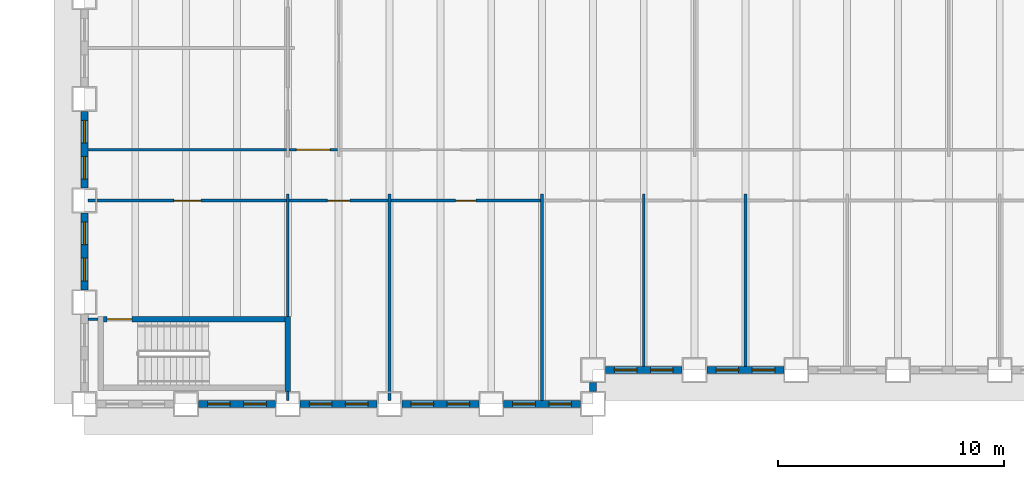
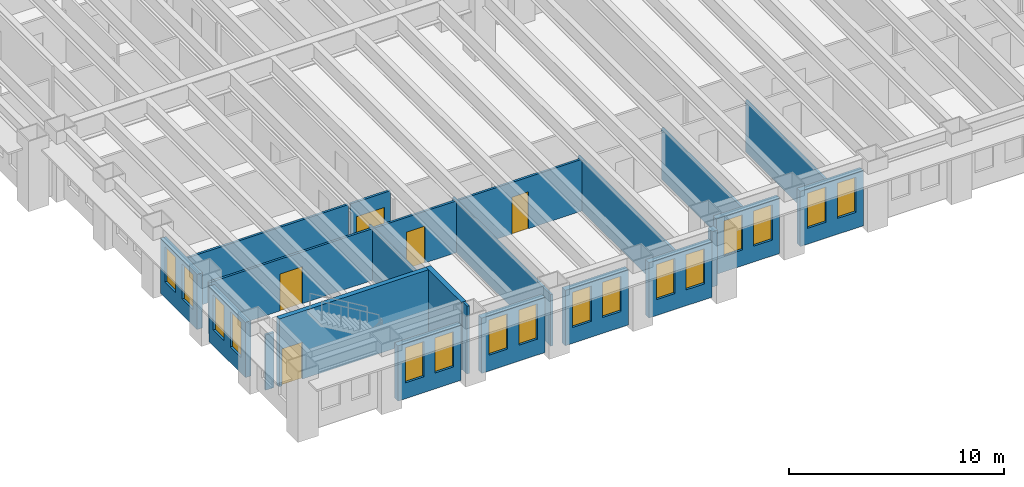
# One storey, part 3 of 15: 23 walls, 16 windows, 5 doors, 21 openings.
"""IFC4 building model written with IfcOpenShell, lengths in metres."""

from ifc_helpers import new_model, si_unit, direction, frame, frame_2d, origin, place, context, subcontext, project, spatial, rectangle, extrude, material, layer, layer_set, type_object, element, fill, save


model = new_model("IFC4")

# Units and contexts
model_context = context("Model", 3, precision=1e-05, world=origin(), true_north=direction((0.0, 1.0)))
body_context = subcontext(model_context, "Body", "Model", "MODEL_VIEW")
ifc_project = project(units=[si_unit("LENGTHUNIT", "METRE"), si_unit("AREAUNIT", "SQUARE_METRE"), si_unit("VOLUMEUNIT", "CUBIC_METRE"), si_unit("PLANEANGLEUNIT", "RADIAN"), si_unit("MASSUNIT", "GRAM", prefix="KILO")], contexts=[model_context])

# Site, building, storey
site_placement = place(None, origin())
site = spatial("IfcSite", under=ifc_project, at=site_placement, CompositionType="ELEMENT")
building_placement = place(site_placement, origin())
building = spatial("IfcBuilding", under=site, at=building_placement, Name="Sennacour Bend Tower", CompositionType="ELEMENT")
storey_placement = place(building_placement, frame((0.0, 0.0, 37.0)))
storey = spatial("IfcBuildingStorey", under=building, at=storey_placement, Name="L07", CompositionType="ELEMENT", Elevation=37.0)

# Walls
ifc_material_1 = material(Name="Plasterboard partition on steel studs", Category="steel")
ifc_layer_1 = layer(ifc_material_1, 0.1201171875, Name="Plasterboard partition on steel studs", Category="steel")
ifc_layer_set_1 = layer_set([ifc_layer_1], Name="Plasterboard partition on steel studs")
wall_type_1 = type_object("IfcWallType", Name="Partition 120", PredefinedType="PARTITIONING", material=ifc_layer_set_1)
wall_1_placement = place(storey_placement, frame((9.0, 0.14990234375, 0.0), z_axis=(0.0, 0.0, 1.0), x_axis=(0.0, 1.0, 0.0)))
element("IfcWall", 1, at=wall_1_placement, inside=storey, type_object=wall_type_1, Name="P-L07-W010a", PredefinedType="PARTITIONING", context=body_context, shape_type="SweptSolid", body=[
    extrude(rectangle(XDim=0.400146484375, YDim=0.1201171875, at=frame_2d((0.2001953125, 0.0))), origin(), (0.0, 0.0, 1.0), 3.85009765625),
])
wall_2_placement = place(storey_placement, frame((9.0, 3.875, 0.0), z_axis=(0.0, 0.0, 1.0), x_axis=(0.0, 1.0, 0.0)))
element("IfcWall", 2, at=wall_2_placement, inside=storey, type_object=wall_type_1, Name="P-L07-W012a", PredefinedType="PARTITIONING", context=body_context, shape_type="SweptSolid", body=[
    extrude(rectangle(XDim=5.425048828125, YDim=0.1201171875, at=frame_2d((2.71240234375, 0.0))), origin(), (0.0, 0.0, 1.0), 2.93798828125),
])
for number, where, z_axis, x_axis, name in (
    (3, (13.5, 0.14990234375, 0.0), (0.0, 0.0, 1.0), (0.0, 1.0, 0.0), "P-L07-W017a"),
    (4, (20.25, 0.14990234375, 0.0), (0.0, 0.0, 1.0), (0.0, 1.0, 0.0), "P-L07-W024a"),
):
    element("IfcWall", number, at=place(storey_placement, frame(where, z_axis=z_axis, x_axis=x_axis)), inside=storey, type_object=wall_type_1, Name=name, PredefinedType="PARTITIONING", context=body_context, shape_type="SweptSolid", body=[
        extrude(rectangle(XDim=9.150146484375, YDim=0.1201171875, at=frame_2d((4.5751953125, 0.0))), origin(), (0.0, 0.0, 1.0), 2.93798828125),
    ])
for number, where, z_axis, x_axis, name in (
    (5, (24.75, 1.64990234375, 0.0), (0.0, 0.0, 1.0), (0.0, 1.0, 0.0), "P-L07-W026a"),
    (6, (29.25, 1.64990234375, 0.0), (0.0, 0.0, 1.0), (0.0, 1.0, 0.0), "P-L07-W028a"),
):
    element("IfcWall", number, at=place(storey_placement, frame(where, z_axis=z_axis, x_axis=x_axis)), inside=storey, type_object=wall_type_1, Name=name, PredefinedType="PARTITIONING", context=body_context, shape_type="SweptSolid", body=[
        extrude(rectangle(XDim=7.650146484375, YDim=0.1201171875, at=frame_2d((3.8251953125, 0.0))), origin(), (0.0, 0.0, 1.0), 2.93798828125),
    ])
wall_3_placement = place(storey_placement, frame((0.14990234375, 3.75, 0.0), z_axis=(0.0, 0.0, 1.0), x_axis=(1.0, 0.0, 0.0)))
element("IfcWall", 7, at=wall_3_placement, inside=storey, type_object=wall_type_1, Name="P-L07-W050a", PredefinedType="PARTITIONING", context=body_context, shape_type="SweptSolid", body=[
    extrude(rectangle(XDim=0.4501953125, YDim=0.1201171875, at=frame_2d((0.22509765625, 0.0))), origin(), (0.0, 0.0, 1.0), 3.14404296875),
])

# Wall, opening, door
wall_4_placement = place(storey_placement, frame((9.06005859375, 9.0, 0.0), z_axis=(0.0, 0.0, 1.0), x_axis=(1.0, 0.0, 0.0)))
wall_4 = element("IfcWall", 8, at=wall_4_placement, inside=storey, type_object=wall_type_1, Name="P-L07-W058ab", PredefinedType="PARTITIONING", context=body_context, shape_type="SweptSolid", body=[
    extrude(rectangle(XDim=4.3798828125, YDim=0.1201171875, at=frame_2d((2.18994140625, 0.0))), origin(), (0.0, 0.0, 1.0), 2.93798828125),
])
opening_1_placement = place(wall_4_placement, frame((1.68994140625, 0.0, 0.0)))
opening_1 = element("IfcOpeningElement", 9, at=opening_1_placement, cuts=wall_4, Name="Opening OD2", PredefinedType="OPENING", context=body_context, shape_type="SweptSolid", body=[
    extrude(rectangle(XDim=1.0, YDim=2.10009765625, at=frame_2d((0.5, 1.050048828125))), frame((0.0, 0.070068359375, 0.0), z_axis=(0.0, -1.0, 0.0), x_axis=(1.0, 0.0, 0.0)), (0.0, 0.0, 1.0), 0.14013671875),
])
ifc_material_2 = material(Name="Timber", Category="wood")
door_type_1 = type_object("IfcDoorType", Name="DR-OFFICE-1000", OperationType="NOTDEFINED", PredefinedType="DOOR", material=ifc_material_2)
door_1_placement = place(opening_1_placement, origin())
door_1 = element("IfcDoor", 10, at=door_1_placement, inside=storey, type_object=door_type_1, Name="Door", OperationType="SINGLE_SWING_LEFT", OverallHeight=2.10009765625, OverallWidth=1.0, PredefinedType="DOOR", context=body_context, shape_type="SweptSolid", body=[
    extrude(rectangle(XDim=1.0, YDim=2.10009765625, at=frame_2d((0.5, 1.050048828125))), frame((0.0, 0.02490234375, 0.0), z_axis=(0.0, -1.0, 0.0), x_axis=(1.0, 0.0, 0.0)), (0.0, 0.0, 1.0), 0.050048828125),
])
fill(opening_1, door_1)

# Wall
wall_5_placement = place(storey_placement, frame((0.14990234375, 11.25, 0.0), z_axis=(0.0, 0.0, 1.0), x_axis=(1.0, 0.0, 0.0)))
element("IfcWall", 11, at=wall_5_placement, inside=storey, type_object=wall_type_1, Name="P-L07-W060aa", PredefinedType="PARTITIONING", context=body_context, shape_type="SweptSolid", body=[
    extrude(rectangle(XDim=8.7900390625, YDim=0.1201171875, at=frame_2d((4.39501953125, 0.0))), origin(), (0.0, 0.0, 1.0), 2.93798828125),
])

# Wall, opening, door
ifc_layer_2 = layer(ifc_material_1, 0.1201171875, Name="Plasterboard partition on steel studs", Category="steel")
ifc_layer_set_2 = layer_set([ifc_layer_2], Name="Plasterboard partition on steel studs")
wall_type_2 = type_object("IfcWallType", Name="Partition 120 EI 30", PredefinedType="PARTITIONING", material=ifc_layer_set_2)
wall_6_placement = place(storey_placement, frame((0.14990234375, 9.0, 0.0), z_axis=(0.0, 0.0, 1.0), x_axis=(1.0, 0.0, 0.0)))
wall_6 = element("IfcWall", 12, at=wall_6_placement, inside=storey, type_object=wall_type_2, Name="P-L07-W058aa", PredefinedType="PARTITIONING", context=body_context, shape_type="SweptSolid", body=[
    extrude(rectangle(XDim=8.7900390625, YDim=0.1201171875, at=frame_2d((4.39501953125, 0.0))), origin(), (0.0, 0.0, 1.0), 2.93798828125),
])
opening_2_placement = place(wall_6_placement, frame((3.80517578125, 0.0, 0.0)))
opening_2 = element("IfcOpeningElement", 13, at=opening_2_placement, cuts=wall_6, Name="Opening KD2", PredefinedType="OPENING", context=body_context, shape_type="SweptSolid", body=[
    extrude(rectangle(XDim=1.199951171875, YDim=2.10009765625, at=frame_2d((0.60009765625, 1.050048828125))), frame((0.0, 0.070068359375, 0.0), z_axis=(0.0, -1.0, 0.0), x_axis=(1.0, 0.0, 0.0)), (0.0, 0.0, 1.0), 0.14013671875),
])
ifc_material_3 = material(Name="Painted steel", Category="steel")
door_type_2 = type_object("IfcDoorType", Name="DR-CORRIDOR-1200", OperationType="NOTDEFINED", PredefinedType="DOOR", material=ifc_material_3)
door_2_placement = place(opening_2_placement, origin())
door_2 = element("IfcDoor", 14, at=door_2_placement, inside=storey, type_object=door_type_2, Name="Door", OperationType="SINGLE_SWING_LEFT", OverallHeight=2.10009765625, OverallWidth=1.199951171875, PredefinedType="DOOR", context=body_context, shape_type="SweptSolid", body=[
    extrude(rectangle(XDim=1.199951171875, YDim=2.10009765625, at=frame_2d((0.60009765625, 1.050048828125))), frame((0.0, 0.02490234375, 0.0), z_axis=(0.0, -1.0, 0.0), x_axis=(1.0, 0.0, 0.0)), (0.0, 0.0, 1.0), 0.050048828125),
])
fill(opening_2, door_2)

wall_7_placement = place(storey_placement, frame((9.06005859375, 11.25, 0.0), z_axis=(0.0, 0.0, 1.0), x_axis=(1.0, 0.0, 0.0)))
wall_7 = element("IfcWall", 15, at=wall_7_placement, inside=storey, type_object=wall_type_2, Name="P-L07-W060ab", PredefinedType="PARTITIONING", context=body_context, shape_type="SweptSolid", body=[
    extrude(rectangle(XDim=2.1298828125, YDim=0.1201171875, at=frame_2d((1.06494140625, 0.0))), origin(), (0.0, 0.0, 1.0), 2.93798828125),
])
opening_3_placement = place(wall_7_placement, frame((0.31494140625, 0.0, 0.0)))
opening_3 = element("IfcOpeningElement", 16, at=opening_3_placement, cuts=wall_7, Name="Opening KD", PredefinedType="OPENING", context=body_context, shape_type="SweptSolid", body=[
    extrude(rectangle(XDim=1.5, YDim=2.10009765625, at=frame_2d((0.75, 1.050048828125))), frame((0.0, 0.070068359375, 0.0), z_axis=(0.0, -1.0, 0.0), x_axis=(1.0, 0.0, 0.0)), (0.0, 0.0, 1.0), 0.14013671875),
])
door_type_3 = type_object("IfcDoorType", Name="DR-CORRIDOR-1500", OperationType="NOTDEFINED", PredefinedType="DOOR", material=ifc_material_3)
door_3_placement = place(opening_3_placement, origin())
door_3 = element("IfcDoor", 17, at=door_3_placement, inside=storey, type_object=door_type_3, Name="Door", OperationType="SINGLE_SWING_LEFT", OverallHeight=2.10009765625, OverallWidth=1.5, PredefinedType="DOOR", context=body_context, shape_type="SweptSolid", body=[
    extrude(rectangle(XDim=1.5, YDim=2.10009765625, at=frame_2d((0.75, 1.050048828125))), frame((0.0, 0.02490234375, 0.0), z_axis=(0.0, -1.0, 0.0), x_axis=(1.0, 0.0, 0.0)), (0.0, 0.0, 1.0), 0.050048828125),
])
fill(opening_3, door_3)

ifc_layer_3 = layer(ifc_material_1, 0.1201171875, Name="Plasterboard partition on steel studs", Category="steel")
ifc_layer_set_3 = layer_set([ifc_layer_3], Name="Plasterboard partition on steel studs")
wall_type_3 = type_object("IfcWallType", Name="Partition 120 EI 60", PredefinedType="PARTITIONING", material=ifc_layer_set_3)
wall_8_placement = place(storey_placement, frame((13.56005859375, 9.0, 0.0), z_axis=(0.0, 0.0, 1.0), x_axis=(1.0, 0.0, 0.0)))
wall_8 = element("IfcWall", 18, at=wall_8_placement, inside=storey, type_object=wall_type_3, Name="P-L07-W058ac", PredefinedType="PARTITIONING", context=body_context, shape_type="SweptSolid", body=[
    extrude(rectangle(XDim=6.6298828125, YDim=0.1201171875, at=frame_2d((3.31494140625, 0.0))), origin(), (0.0, 0.0, 1.0), 2.93798828125),
])
opening_4_placement = place(wall_8_placement, frame((2.864990234375, 0.0, 0.0)))
opening_4 = element("IfcOpeningElement", 19, at=opening_4_placement, cuts=wall_8, Name="Opening SV", PredefinedType="OPENING", context=body_context, shape_type="SweptSolid", body=[
    extrude(rectangle(XDim=0.89990234375, YDim=2.10009765625, at=frame_2d((0.449951171875, 1.050048828125))), frame((0.0, 0.070068359375, 0.0), z_axis=(0.0, -1.0, 0.0), x_axis=(1.0, 0.0, 0.0)), (0.0, 0.0, 1.0), 0.14013671875),
])
door_type_4 = type_object("IfcDoorType", Name="DR-SERVICE-900", OperationType="NOTDEFINED", PredefinedType="DOOR", material=ifc_material_3)
door_4_placement = place(opening_4_placement, origin())
door_4 = element("IfcDoor", 20, at=door_4_placement, inside=storey, type_object=door_type_4, Name="Door", OperationType="SINGLE_SWING_LEFT", OverallHeight=2.10009765625, OverallWidth=0.89990234375, PredefinedType="DOOR", context=body_context, shape_type="SweptSolid", body=[
    extrude(rectangle(XDim=0.89990234375, YDim=2.10009765625, at=frame_2d((0.449951171875, 1.050048828125))), frame((0.0, 0.02490234375, 0.0), z_axis=(0.0, -1.0, 0.0), x_axis=(1.0, 0.0, 0.0)), (0.0, 0.0, 1.0), 0.050048828125),
])
fill(opening_4, door_4)

# Wall, openings, windows
ifc_material_4 = material(Name="Warm limestone cladding", Category="masonry")
ifc_layer_4 = layer(ifc_material_4, 0.050048828125, Name="Warm limestone cladding", Category="masonry")
ifc_material_5 = material(Name="Precast concrete C40/50", Category="concrete")
ifc_layer_5 = layer(ifc_material_5, 0.25, Name="Precast concrete C40/50", Category="concrete")
ifc_layer_set_4 = layer_set([ifc_layer_4, ifc_layer_5], Name="Precast concrete C40/50 with limestone cladding")
wall_type_4 = type_object("IfcWallType", Name="STONE-CLAD PRECAST SPANDREL 300", PredefinedType="STANDARD", material=ifc_layer_set_4)
wall_9_placement = place(storey_placement, frame((5.050048828125, 0.0, 0.0), z_axis=(0.0, 0.0, 1.0), x_axis=(1.0, 0.0, 0.0)))
wall_9 = element("IfcWall", 21, at=wall_9_placement, inside=storey, type_object=wall_type_4, Name="Stone spandrel and pier wall L07 00.01", PredefinedType="STANDARD", context=body_context, shape_type="SweptSolid", body=[
    extrude(rectangle(XDim=3.39990234375, YDim=0.300048828125, at=frame_2d((1.699951171875, 0.0))), origin(), (0.0, 0.0, 1.0), 3.14404296875),
])
opening_5_placement = place(wall_9_placement, frame((0.39990234375, 0.0, 0.89990234375)))
opening_5 = element("IfcOpeningElement", 22, at=opening_5_placement, cuts=wall_9, Name="Opening W8", PredefinedType="OPENING", context=body_context, shape_type="SweptSolid", body=[
    extrude(rectangle(XDim=1.0, YDim=2.0, at=frame_2d((0.5, 1.0))), frame((0.0, 0.16015625, 0.0), z_axis=(0.0, -1.0, 0.0), x_axis=(1.0, 0.0, 0.0)), (0.0, 0.0, 1.0), 0.320068359375),
])
opening_6_placement = place(wall_9_placement, frame((2.0, 0.0, 0.89990234375)))
opening_6 = element("IfcOpeningElement", 23, at=opening_6_placement, cuts=wall_9, Name="Opening W8", PredefinedType="OPENING", context=body_context, shape_type="SweptSolid", body=[
    extrude(rectangle(XDim=1.0, YDim=2.0, at=frame_2d((0.5, 1.0))), frame((0.0, 0.16015625, 0.0), z_axis=(0.0, -1.0, 0.0), x_axis=(1.0, 0.0, 0.0)), (0.0, 0.0, 1.0), 0.320068359375),
])
ifc_material_6 = material(Name="Clear low-emissivity glass", Category="glass")
window_type = type_object("IfcWindowType", Name="WIN-RIBBON-1000x2000", PartitioningType="SINGLE_PANEL", PredefinedType="WINDOW", material=ifc_material_6)
window_1_placement = place(opening_5_placement, origin())
window_1 = element("IfcWindow", 24, at=window_1_placement, inside=storey, type_object=window_type, Name="Ribbon window L07 00.01.0", OverallHeight=2.0, OverallWidth=1.0, PartitioningType="SINGLE_PANEL", PredefinedType="WINDOW", context=body_context, shape_type="SweptSolid", body=[
    extrude(rectangle(XDim=1.0, YDim=2.0, at=frame_2d((0.5, 1.0))), frame((0.0, 0.030029296875, 0.0), z_axis=(0.0, -1.0, 0.0), x_axis=(1.0, 0.0, 0.0)), (0.0, 0.0, 1.0), 0.06005859375),
])
fill(opening_5, window_1)
window_2_placement = place(opening_6_placement, origin())
window_2 = element("IfcWindow", 25, at=window_2_placement, inside=storey, type_object=window_type, Name="Ribbon window L07 00.01.1", OverallHeight=2.0, OverallWidth=1.0, PartitioningType="SINGLE_PANEL", PredefinedType="WINDOW", context=body_context, shape_type="SweptSolid", body=[
    extrude(rectangle(XDim=1.0, YDim=2.0, at=frame_2d((0.5, 1.0))), frame((0.0, 0.030029296875, 0.0), z_axis=(0.0, -1.0, 0.0), x_axis=(1.0, 0.0, 0.0)), (0.0, 0.0, 1.0), 0.06005859375),
])
fill(opening_6, window_2)

wall_10_placement = place(storey_placement, frame((9.550048828125, 0.0, 0.0), z_axis=(0.0, 0.0, 1.0), x_axis=(1.0, 0.0, 0.0)))
wall_10 = element("IfcWall", 26, at=wall_10_placement, inside=storey, type_object=wall_type_4, Name="Stone spandrel and pier wall L07 00.02", PredefinedType="STANDARD", context=body_context, shape_type="SweptSolid", body=[
    extrude(rectangle(XDim=3.39990234375, YDim=0.300048828125, at=frame_2d((1.699951171875, 0.0))), origin(), (0.0, 0.0, 1.0), 3.14404296875),
])
opening_7_placement = place(wall_10_placement, frame((0.39990234375, 0.0, 0.89990234375)))
opening_7 = element("IfcOpeningElement", 27, at=opening_7_placement, cuts=wall_10, Name="Opening W8", PredefinedType="OPENING", context=body_context, shape_type="SweptSolid", body=[
    extrude(rectangle(XDim=1.0, YDim=2.0, at=frame_2d((0.5, 1.0))), frame((0.0, 0.16015625, 0.0), z_axis=(0.0, -1.0, 0.0), x_axis=(1.0, 0.0, 0.0)), (0.0, 0.0, 1.0), 0.320068359375),
])
opening_8_placement = place(wall_10_placement, frame((2.0, 0.0, 0.89990234375)))
opening_8 = element("IfcOpeningElement", 28, at=opening_8_placement, cuts=wall_10, Name="Opening W8", PredefinedType="OPENING", context=body_context, shape_type="SweptSolid", body=[
    extrude(rectangle(XDim=1.0, YDim=2.0, at=frame_2d((0.5, 1.0))), frame((0.0, 0.16015625, 0.0), z_axis=(0.0, -1.0, 0.0), x_axis=(1.0, 0.0, 0.0)), (0.0, 0.0, 1.0), 0.320068359375),
])
window_3_placement = place(opening_7_placement, origin())
window_3 = element("IfcWindow", 29, at=window_3_placement, inside=storey, type_object=window_type, Name="Ribbon window L07 00.02.0", OverallHeight=2.0, OverallWidth=1.0, PartitioningType="SINGLE_PANEL", PredefinedType="WINDOW", context=body_context, shape_type="SweptSolid", body=[
    extrude(rectangle(XDim=1.0, YDim=2.0, at=frame_2d((0.5, 1.0))), frame((0.0, 0.030029296875, 0.0), z_axis=(0.0, -1.0, 0.0), x_axis=(1.0, 0.0, 0.0)), (0.0, 0.0, 1.0), 0.06005859375),
])
fill(opening_7, window_3)
window_4_placement = place(opening_8_placement, origin())
window_4 = element("IfcWindow", 30, at=window_4_placement, inside=storey, type_object=window_type, Name="Ribbon window L07 00.02.1", OverallHeight=2.0, OverallWidth=1.0, PartitioningType="SINGLE_PANEL", PredefinedType="WINDOW", context=body_context, shape_type="SweptSolid", body=[
    extrude(rectangle(XDim=1.0, YDim=2.0, at=frame_2d((0.5, 1.0))), frame((0.0, 0.030029296875, 0.0), z_axis=(0.0, -1.0, 0.0), x_axis=(1.0, 0.0, 0.0)), (0.0, 0.0, 1.0), 0.06005859375),
])
fill(opening_8, window_4)

wall_11_placement = place(storey_placement, frame((14.050048828125, 0.0, 0.0), z_axis=(0.0, 0.0, 1.0), x_axis=(1.0, 0.0, 0.0)))
wall_11 = element("IfcWall", 31, at=wall_11_placement, inside=storey, type_object=wall_type_4, Name="Stone spandrel and pier wall L07 00.03", PredefinedType="STANDARD", context=body_context, shape_type="SweptSolid", body=[
    extrude(rectangle(XDim=3.39990234375, YDim=0.300048828125, at=frame_2d((1.699951171875, 0.0))), origin(), (0.0, 0.0, 1.0), 3.14404296875),
])
opening_9_placement = place(wall_11_placement, frame((0.39990234375, 0.0, 0.89990234375)))
opening_9 = element("IfcOpeningElement", 32, at=opening_9_placement, cuts=wall_11, Name="Opening W8", PredefinedType="OPENING", context=body_context, shape_type="SweptSolid", body=[
    extrude(rectangle(XDim=1.0, YDim=2.0, at=frame_2d((0.5, 1.0))), frame((0.0, 0.16015625, 0.0), z_axis=(0.0, -1.0, 0.0), x_axis=(1.0, 0.0, 0.0)), (0.0, 0.0, 1.0), 0.320068359375),
])
opening_10_placement = place(wall_11_placement, frame((2.0, 0.0, 0.89990234375)))
opening_10 = element("IfcOpeningElement", 33, at=opening_10_placement, cuts=wall_11, Name="Opening W8", PredefinedType="OPENING", context=body_context, shape_type="SweptSolid", body=[
    extrude(rectangle(XDim=1.0, YDim=2.0, at=frame_2d((0.5, 1.0))), frame((0.0, 0.16015625, 0.0), z_axis=(0.0, -1.0, 0.0), x_axis=(1.0, 0.0, 0.0)), (0.0, 0.0, 1.0), 0.320068359375),
])
window_5_placement = place(opening_9_placement, origin())
window_5 = element("IfcWindow", 34, at=window_5_placement, inside=storey, type_object=window_type, Name="Ribbon window L07 00.03.0", OverallHeight=2.0, OverallWidth=1.0, PartitioningType="SINGLE_PANEL", PredefinedType="WINDOW", context=body_context, shape_type="SweptSolid", body=[
    extrude(rectangle(XDim=1.0, YDim=2.0, at=frame_2d((0.5, 1.0))), frame((0.0, 0.030029296875, 0.0), z_axis=(0.0, -1.0, 0.0), x_axis=(1.0, 0.0, 0.0)), (0.0, 0.0, 1.0), 0.06005859375),
])
fill(opening_9, window_5)
window_6_placement = place(opening_10_placement, origin())
window_6 = element("IfcWindow", 35, at=window_6_placement, inside=storey, type_object=window_type, Name="Ribbon window L07 00.03.1", OverallHeight=2.0, OverallWidth=1.0, PartitioningType="SINGLE_PANEL", PredefinedType="WINDOW", context=body_context, shape_type="SweptSolid", body=[
    extrude(rectangle(XDim=1.0, YDim=2.0, at=frame_2d((0.5, 1.0))), frame((0.0, 0.030029296875, 0.0), z_axis=(0.0, -1.0, 0.0), x_axis=(1.0, 0.0, 0.0)), (0.0, 0.0, 1.0), 0.06005859375),
])
fill(opening_10, window_6)

wall_12_placement = place(storey_placement, frame((18.550048828125, 0.0, 0.0), z_axis=(0.0, 0.0, 1.0), x_axis=(1.0, 0.0, 0.0)))
wall_12 = element("IfcWall", 36, at=wall_12_placement, inside=storey, type_object=wall_type_4, Name="Stone spandrel and pier wall L07 00.04", PredefinedType="STANDARD", context=body_context, shape_type="SweptSolid", body=[
    extrude(rectangle(XDim=3.39990234375, YDim=0.300048828125, at=frame_2d((1.699951171875, 0.0))), origin(), (0.0, 0.0, 1.0), 3.14404296875),
])
opening_11_placement = place(wall_12_placement, frame((0.39990234375, 0.0, 0.89990234375)))
opening_11 = element("IfcOpeningElement", 37, at=opening_11_placement, cuts=wall_12, Name="Opening W8", PredefinedType="OPENING", context=body_context, shape_type="SweptSolid", body=[
    extrude(rectangle(XDim=1.0, YDim=2.0, at=frame_2d((0.5, 1.0))), frame((0.0, 0.16015625, 0.0), z_axis=(0.0, -1.0, 0.0), x_axis=(1.0, 0.0, 0.0)), (0.0, 0.0, 1.0), 0.320068359375),
])
opening_12_placement = place(wall_12_placement, frame((2.0, 0.0, 0.89990234375)))
opening_12 = element("IfcOpeningElement", 38, at=opening_12_placement, cuts=wall_12, Name="Opening W8", PredefinedType="OPENING", context=body_context, shape_type="SweptSolid", body=[
    extrude(rectangle(XDim=1.0, YDim=2.0, at=frame_2d((0.5, 1.0))), frame((0.0, 0.16015625, 0.0), z_axis=(0.0, -1.0, 0.0), x_axis=(1.0, 0.0, 0.0)), (0.0, 0.0, 1.0), 0.320068359375),
])
window_7_placement = place(opening_11_placement, origin())
window_7 = element("IfcWindow", 39, at=window_7_placement, inside=storey, type_object=window_type, Name="Ribbon window L07 00.04.0", OverallHeight=2.0, OverallWidth=1.0, PartitioningType="SINGLE_PANEL", PredefinedType="WINDOW", context=body_context, shape_type="SweptSolid", body=[
    extrude(rectangle(XDim=1.0, YDim=2.0, at=frame_2d((0.5, 1.0))), frame((0.0, 0.030029296875, 0.0), z_axis=(0.0, -1.0, 0.0), x_axis=(1.0, 0.0, 0.0)), (0.0, 0.0, 1.0), 0.06005859375),
])
fill(opening_11, window_7)
window_8_placement = place(opening_12_placement, origin())
window_8 = element("IfcWindow", 40, at=window_8_placement, inside=storey, type_object=window_type, Name="Ribbon window L07 00.04.1", OverallHeight=2.0, OverallWidth=1.0, PartitioningType="SINGLE_PANEL", PredefinedType="WINDOW", context=body_context, shape_type="SweptSolid", body=[
    extrude(rectangle(XDim=1.0, YDim=2.0, at=frame_2d((0.5, 1.0))), frame((0.0, 0.030029296875, 0.0), z_axis=(0.0, -1.0, 0.0), x_axis=(1.0, 0.0, 0.0)), (0.0, 0.0, 1.0), 0.06005859375),
])
fill(opening_12, window_8)

# Wall
wall_13_placement = place(storey_placement, frame((22.5, 0.550048828125, 0.0), z_axis=(0.0, 0.0, 1.0), x_axis=(0.0, 1.0, 0.0)))
element("IfcWall", 41, at=wall_13_placement, inside=storey, type_object=wall_type_4, Name="Stone spandrel and pier wall L07 01.00", PredefinedType="STANDARD", context=body_context, shape_type="SweptSolid", body=[
    extrude(rectangle(XDim=0.39990234375, YDim=0.300048828125, at=frame_2d((0.199951171875, 0.0))), origin(), (0.0, 0.0, 1.0), 3.14404296875),
])

# Wall, openings, windows
wall_14_placement = place(storey_placement, frame((23.050048828125, 1.5, 0.0), z_axis=(0.0, 0.0, 1.0), x_axis=(1.0, 0.0, 0.0)))
wall_14 = element("IfcWall", 42, at=wall_14_placement, inside=storey, type_object=wall_type_4, Name="Stone spandrel and pier wall L07 02.00", PredefinedType="STANDARD", context=body_context, shape_type="SweptSolid", body=[
    extrude(rectangle(XDim=3.39990234375, YDim=0.300048828125, at=frame_2d((1.699951171875, 0.0))), origin(), (0.0, 0.0, 1.0), 3.14404296875),
])
opening_13_placement = place(wall_14_placement, frame((0.39990234375, 0.0, 0.89990234375)))
opening_13 = element("IfcOpeningElement", 43, at=opening_13_placement, cuts=wall_14, Name="Opening W8", PredefinedType="OPENING", context=body_context, shape_type="SweptSolid", body=[
    extrude(rectangle(XDim=1.0, YDim=2.0, at=frame_2d((0.5, 1.0))), frame((0.0, 0.16015625, 0.0), z_axis=(0.0, -1.0, 0.0), x_axis=(1.0, 0.0, 0.0)), (0.0, 0.0, 1.0), 0.320068359375),
])
opening_14_placement = place(wall_14_placement, frame((2.0, 0.0, 0.89990234375)))
opening_14 = element("IfcOpeningElement", 44, at=opening_14_placement, cuts=wall_14, Name="Opening W8", PredefinedType="OPENING", context=body_context, shape_type="SweptSolid", body=[
    extrude(rectangle(XDim=1.0, YDim=2.0, at=frame_2d((0.5, 1.0))), frame((0.0, 0.16015625, 0.0), z_axis=(0.0, -1.0, 0.0), x_axis=(1.0, 0.0, 0.0)), (0.0, 0.0, 1.0), 0.320068359375),
])
window_9_placement = place(opening_13_placement, origin())
window_9 = element("IfcWindow", 45, at=window_9_placement, inside=storey, type_object=window_type, Name="Ribbon window L07 02.00.0", OverallHeight=2.0, OverallWidth=1.0, PartitioningType="SINGLE_PANEL", PredefinedType="WINDOW", context=body_context, shape_type="SweptSolid", body=[
    extrude(rectangle(XDim=1.0, YDim=2.0, at=frame_2d((0.5, 1.0))), frame((0.0, 0.030029296875, 0.0), z_axis=(0.0, -1.0, 0.0), x_axis=(1.0, 0.0, 0.0)), (0.0, 0.0, 1.0), 0.06005859375),
])
fill(opening_13, window_9)
window_10_placement = place(opening_14_placement, origin())
window_10 = element("IfcWindow", 46, at=window_10_placement, inside=storey, type_object=window_type, Name="Ribbon window L07 02.00.1", OverallHeight=2.0, OverallWidth=1.0, PartitioningType="SINGLE_PANEL", PredefinedType="WINDOW", context=body_context, shape_type="SweptSolid", body=[
    extrude(rectangle(XDim=1.0, YDim=2.0, at=frame_2d((0.5, 1.0))), frame((0.0, 0.030029296875, 0.0), z_axis=(0.0, -1.0, 0.0), x_axis=(1.0, 0.0, 0.0)), (0.0, 0.0, 1.0), 0.06005859375),
])
fill(opening_14, window_10)

wall_15_placement = place(storey_placement, frame((27.550048828125, 1.5, 0.0), z_axis=(0.0, 0.0, 1.0), x_axis=(1.0, 0.0, 0.0)))
wall_15 = element("IfcWall", 47, at=wall_15_placement, inside=storey, type_object=wall_type_4, Name="Stone spandrel and pier wall L07 02.01", PredefinedType="STANDARD", context=body_context, shape_type="SweptSolid", body=[
    extrude(rectangle(XDim=3.39990234375, YDim=0.300048828125, at=frame_2d((1.699951171875, 0.0))), origin(), (0.0, 0.0, 1.0), 3.14404296875),
])
opening_15_placement = place(wall_15_placement, frame((0.39990234375, 0.0, 0.89990234375)))
opening_15 = element("IfcOpeningElement", 48, at=opening_15_placement, cuts=wall_15, Name="Opening W8", PredefinedType="OPENING", context=body_context, shape_type="SweptSolid", body=[
    extrude(rectangle(XDim=1.0, YDim=2.0, at=frame_2d((0.5, 1.0))), frame((0.0, 0.16015625, 0.0), z_axis=(0.0, -1.0, 0.0), x_axis=(1.0, 0.0, 0.0)), (0.0, 0.0, 1.0), 0.320068359375),
])
opening_16_placement = place(wall_15_placement, frame((2.0, 0.0, 0.89990234375)))
opening_16 = element("IfcOpeningElement", 49, at=opening_16_placement, cuts=wall_15, Name="Opening W8", PredefinedType="OPENING", context=body_context, shape_type="SweptSolid", body=[
    extrude(rectangle(XDim=1.0, YDim=2.0, at=frame_2d((0.5, 1.0))), frame((0.0, 0.16015625, 0.0), z_axis=(0.0, -1.0, 0.0), x_axis=(1.0, 0.0, 0.0)), (0.0, 0.0, 1.0), 0.320068359375),
])
window_11_placement = place(opening_15_placement, origin())
window_11 = element("IfcWindow", 50, at=window_11_placement, inside=storey, type_object=window_type, Name="Ribbon window L07 02.01.0", OverallHeight=2.0, OverallWidth=1.0, PartitioningType="SINGLE_PANEL", PredefinedType="WINDOW", context=body_context, shape_type="SweptSolid", body=[
    extrude(rectangle(XDim=1.0, YDim=2.0, at=frame_2d((0.5, 1.0))), frame((0.0, 0.030029296875, 0.0), z_axis=(0.0, -1.0, 0.0), x_axis=(1.0, 0.0, 0.0)), (0.0, 0.0, 1.0), 0.06005859375),
])
fill(opening_15, window_11)
window_12_placement = place(opening_16_placement, origin())
window_12 = element("IfcWindow", 51, at=window_12_placement, inside=storey, type_object=window_type, Name="Ribbon window L07 02.01.1", OverallHeight=2.0, OverallWidth=1.0, PartitioningType="SINGLE_PANEL", PredefinedType="WINDOW", context=body_context, shape_type="SweptSolid", body=[
    extrude(rectangle(XDim=1.0, YDim=2.0, at=frame_2d((0.5, 1.0))), frame((0.0, 0.030029296875, 0.0), z_axis=(0.0, -1.0, 0.0), x_axis=(1.0, 0.0, 0.0)), (0.0, 0.0, 1.0), 0.06005859375),
])
fill(opening_16, window_12)

wall_16_placement = place(storey_placement, frame((0.0, 12.949951171875, 0.0), z_axis=(0.0, 0.0, 1.0), x_axis=(0.0, -1.0, 0.0)))
wall_16 = element("IfcWall", 52, at=wall_16_placement, inside=storey, type_object=wall_type_4, Name="Stone spandrel and pier wall L07 23.02", PredefinedType="STANDARD", context=body_context, shape_type="SweptSolid", body=[
    extrude(rectangle(XDim=3.39990234375, YDim=0.300048828125, at=frame_2d((1.699951171875, 0.0))), origin(), (0.0, 0.0, 1.0), 3.14404296875),
])
opening_17_placement = place(wall_16_placement, frame((0.39990234375, 0.0, 0.89990234375)))
opening_17 = element("IfcOpeningElement", 53, at=opening_17_placement, cuts=wall_16, Name="Opening W8", PredefinedType="OPENING", context=body_context, shape_type="SweptSolid", body=[
    extrude(rectangle(XDim=1.0, YDim=2.0, at=frame_2d((0.5, 1.0))), frame((0.0, 0.16015625, 0.0), z_axis=(0.0, -1.0, 0.0), x_axis=(1.0, 0.0, 0.0)), (0.0, 0.0, 1.0), 0.320068359375),
])
opening_18_placement = place(wall_16_placement, frame((2.0, 0.0, 0.89990234375)))
opening_18 = element("IfcOpeningElement", 54, at=opening_18_placement, cuts=wall_16, Name="Opening W8", PredefinedType="OPENING", context=body_context, shape_type="SweptSolid", body=[
    extrude(rectangle(XDim=1.0, YDim=2.0, at=frame_2d((0.5, 1.0))), frame((0.0, 0.16015625, 0.0), z_axis=(0.0, -1.0, 0.0), x_axis=(1.0, 0.0, 0.0)), (0.0, 0.0, 1.0), 0.320068359375),
])
window_13_placement = place(opening_17_placement, origin())
window_13 = element("IfcWindow", 55, at=window_13_placement, inside=storey, type_object=window_type, Name="Ribbon window L07 23.02.0", OverallHeight=2.0, OverallWidth=1.0, PartitioningType="SINGLE_PANEL", PredefinedType="WINDOW", context=body_context, shape_type="SweptSolid", body=[
    extrude(rectangle(XDim=1.0, YDim=2.0, at=frame_2d((0.5, 1.0))), frame((0.0, 0.030029296875, 0.0), z_axis=(0.0, -1.0, 0.0), x_axis=(1.0, 0.0, 0.0)), (0.0, 0.0, 1.0), 0.06005859375),
])
fill(opening_17, window_13)
window_14_placement = place(opening_18_placement, origin())
window_14 = element("IfcWindow", 56, at=window_14_placement, inside=storey, type_object=window_type, Name="Ribbon window L07 23.02.1", OverallHeight=2.0, OverallWidth=1.0, PartitioningType="SINGLE_PANEL", PredefinedType="WINDOW", context=body_context, shape_type="SweptSolid", body=[
    extrude(rectangle(XDim=1.0, YDim=2.0, at=frame_2d((0.5, 1.0))), frame((0.0, 0.030029296875, 0.0), z_axis=(0.0, -1.0, 0.0), x_axis=(1.0, 0.0, 0.0)), (0.0, 0.0, 1.0), 0.06005859375),
])
fill(opening_18, window_14)

wall_17_placement = place(storey_placement, frame((0.0, 8.449951171875, 0.0), z_axis=(0.0, 0.0, 1.0), x_axis=(0.0, -1.0, 0.0)))
wall_17 = element("IfcWall", 57, at=wall_17_placement, inside=storey, type_object=wall_type_4, Name="Stone spandrel and pier wall L07 23.03", PredefinedType="STANDARD", context=body_context, shape_type="SweptSolid", body=[
    extrude(rectangle(XDim=3.39990234375, YDim=0.300048828125, at=frame_2d((1.699951171875, 0.0))), origin(), (0.0, 0.0, 1.0), 3.14404296875),
])
opening_19_placement = place(wall_17_placement, frame((0.39990234375, 0.0, 0.89990234375)))
opening_19 = element("IfcOpeningElement", 58, at=opening_19_placement, cuts=wall_17, Name="Opening W8", PredefinedType="OPENING", context=body_context, shape_type="SweptSolid", body=[
    extrude(rectangle(XDim=1.0, YDim=2.0, at=frame_2d((0.5, 1.0))), frame((0.0, 0.16015625, 0.0), z_axis=(0.0, -1.0, 0.0), x_axis=(1.0, 0.0, 0.0)), (0.0, 0.0, 1.0), 0.320068359375),
])
opening_20_placement = place(wall_17_placement, frame((2.0, 0.0, 0.89990234375)))
opening_20 = element("IfcOpeningElement", 59, at=opening_20_placement, cuts=wall_17, Name="Opening W8", PredefinedType="OPENING", context=body_context, shape_type="SweptSolid", body=[
    extrude(rectangle(XDim=1.0, YDim=2.0, at=frame_2d((0.5, 1.0))), frame((0.0, 0.16015625, 0.0), z_axis=(0.0, -1.0, 0.0), x_axis=(1.0, 0.0, 0.0)), (0.0, 0.0, 1.0), 0.320068359375),
])
window_15_placement = place(opening_19_placement, origin())
window_15 = element("IfcWindow", 60, at=window_15_placement, inside=storey, type_object=window_type, Name="Ribbon window L07 23.03.0", OverallHeight=2.0, OverallWidth=1.0, PartitioningType="SINGLE_PANEL", PredefinedType="WINDOW", context=body_context, shape_type="SweptSolid", body=[
    extrude(rectangle(XDim=1.0, YDim=2.0, at=frame_2d((0.5, 1.0))), frame((0.0, 0.030029296875, 0.0), z_axis=(0.0, -1.0, 0.0), x_axis=(1.0, 0.0, 0.0)), (0.0, 0.0, 1.0), 0.06005859375),
])
fill(opening_19, window_15)
window_16_placement = place(opening_20_placement, origin())
window_16 = element("IfcWindow", 61, at=window_16_placement, inside=storey, type_object=window_type, Name="Ribbon window L07 23.03.1", OverallHeight=2.0, OverallWidth=1.0, PartitioningType="SINGLE_PANEL", PredefinedType="WINDOW", context=body_context, shape_type="SweptSolid", body=[
    extrude(rectangle(XDim=1.0, YDim=2.0, at=frame_2d((0.5, 1.0))), frame((0.0, 0.030029296875, 0.0), z_axis=(0.0, -1.0, 0.0), x_axis=(1.0, 0.0, 0.0)), (0.0, 0.0, 1.0), 0.06005859375),
])
fill(opening_20, window_16)

# Wall
ifc_material_7 = material(Name="Concrete C60/75", Category="concrete")
ifc_layer_6 = layer(ifc_material_7, 0.25, Name="Concrete C60/75", Category="concrete")
ifc_layer_set_5 = layer_set([ifc_layer_6], Name="Concrete C60/75")
wall_type_5 = type_object("IfcWallType", Name="Stair wall 250", PredefinedType="SHEAR", material=ifc_layer_set_5)
wall_18_placement = place(storey_placement, frame((9.0, 0.550048828125, 0.0), z_axis=(0.0, 0.0, 1.0), x_axis=(0.0, 1.0, 0.0)))
element("IfcWall", 62, at=wall_18_placement, inside=storey, type_object=wall_type_5, Name="P-L07-W011", PredefinedType="SHEAR", context=body_context, shape_type="SweptSolid", body=[
    extrude(rectangle(XDim=3.324951171875, YDim=0.25, at=frame_2d((1.66259765625, 0.0))), origin(), (0.0, 0.0, 1.0), 3.85009765625),
])

# Wall, opening, door
wall_19_placement = place(storey_placement, frame((0.85009765625, 3.75, 0.0), z_axis=(0.0, 0.0, 1.0), x_axis=(1.0, 0.0, 0.0)))
wall_19 = element("IfcWall", 63, at=wall_19_placement, inside=storey, type_object=wall_type_5, Name="P-L07-W051", PredefinedType="SHEAR", context=body_context, shape_type="SweptSolid", body=[
    extrude(rectangle(XDim=8.02490234375, YDim=0.25, at=frame_2d((4.012451171875, 0.0))), origin(), (0.0, 0.0, 1.0), 3.85009765625),
])
opening_21_placement = place(wall_19_placement, frame((0.14990234375, 0.0, 0.0)))
opening_21 = element("IfcOpeningElement", 64, at=opening_21_placement, cuts=wall_19, Name="Opening SD", PredefinedType="OPENING", context=body_context, shape_type="SweptSolid", body=[
    extrude(rectangle(XDim=1.10009765625, YDim=2.10009765625, at=frame_2d((0.550048828125, 1.050048828125))), frame((0.0, 0.135009765625, 0.0), z_axis=(0.0, -1.0, 0.0), x_axis=(1.0, 0.0, 0.0)), (0.0, 0.0, 1.0), 0.27001953125),
])
door_type_5 = type_object("IfcDoorType", Name="DR-STAIR-1100", OperationType="NOTDEFINED", PredefinedType="DOOR", material=ifc_material_3)
door_5_placement = place(opening_21_placement, origin())
door_5 = element("IfcDoor", 65, at=door_5_placement, inside=storey, type_object=door_type_5, Name="Door", OperationType="SINGLE_SWING_LEFT", OverallHeight=2.10009765625, OverallWidth=1.10009765625, PredefinedType="DOOR", context=body_context, shape_type="SweptSolid", body=[
    extrude(rectangle(XDim=1.10009765625, YDim=2.10009765625, at=frame_2d((0.550048828125, 1.050048828125))), frame((0.0, 0.02490234375, 0.0), z_axis=(0.0, -1.0, 0.0), x_axis=(1.0, 0.0, 0.0)), (0.0, 0.0, 1.0), 0.050048828125),
])
fill(opening_21, door_5)

save(model, "model.ifc")
